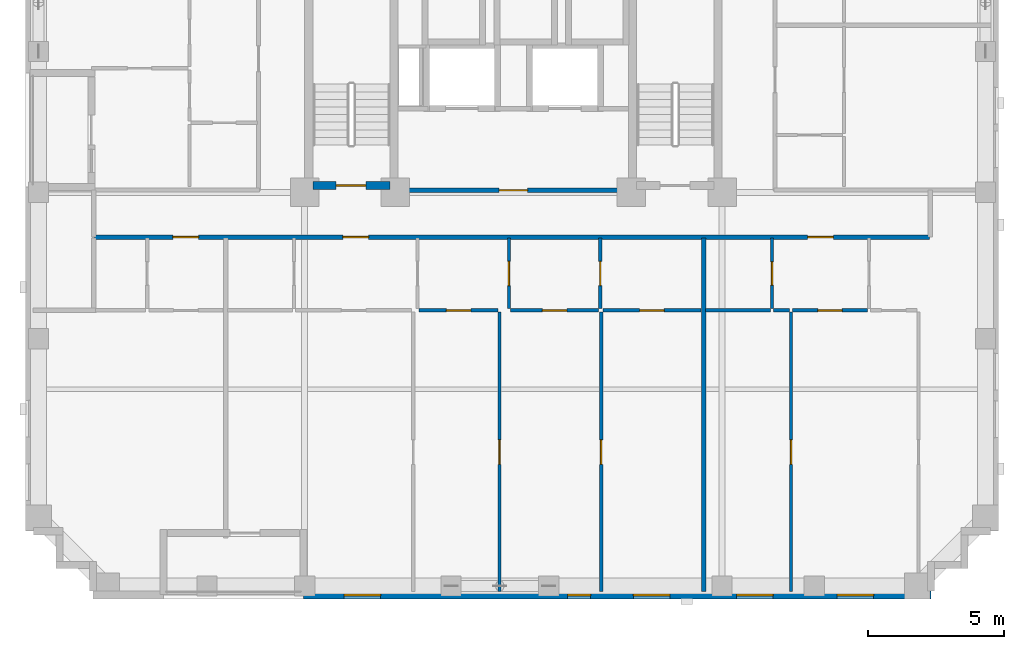
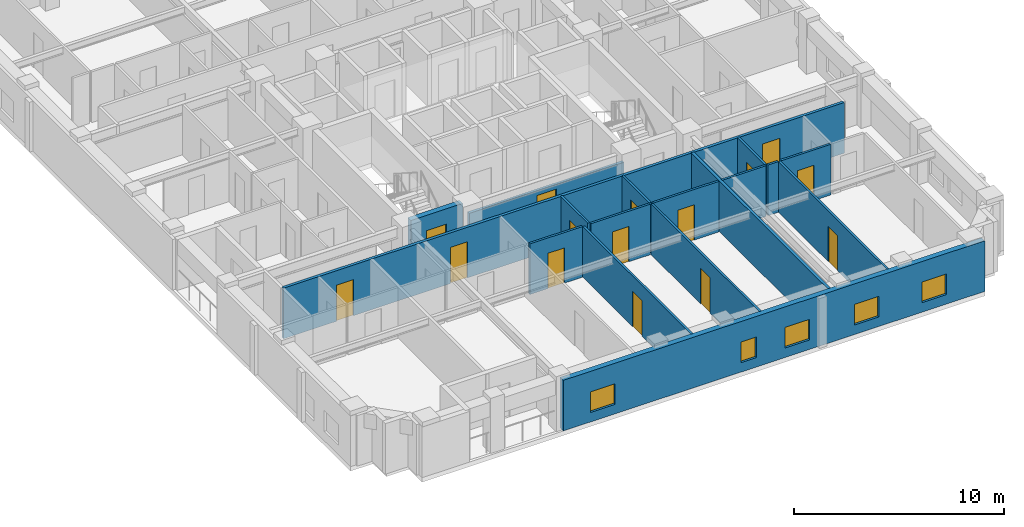
# One storey, part 3 of 12: 17 walls, 15 doors, 5 windows, 20 openings.
"""IFC4 building model written with IfcOpenShell, lengths in metres."""

from ifc_helpers import new_model, si_unit, derived_unit, direction, frame, frame_2d, origin, place, context, subcontext, project, spatial, rectangle, extrude, material, layer, layer_set, type_object, element, fill, save


model = new_model("IFC4")

# Units and contexts
model_context = context("Model", 3, precision=1e-05, world=origin(), true_north=direction((0.0, 1.0)))
body_context = subcontext(model_context, "Body", "Model", "MODEL_VIEW")
ifc_project = project(units=[si_unit("LENGTHUNIT", "METRE"), si_unit("AREAUNIT", "SQUARE_METRE"), si_unit("VOLUMEUNIT", "CUBIC_METRE"), si_unit("PLANEANGLEUNIT", "RADIAN"), si_unit("MASSUNIT", "GRAM", prefix="KILO"), derived_unit("THERMALTRANSMITTANCEUNIT", [(si_unit("MASSUNIT", "GRAM", prefix="KILO"), 1), (si_unit("TIMEUNIT", "SECOND"), -3), (si_unit("THERMODYNAMICTEMPERATUREUNIT", "KELVIN"), -1)])], contexts=[model_context])

# Site, building, storey
site_placement = place(None, origin())
site = spatial("IfcSite", under=ifc_project, at=site_placement, CompositionType="ELEMENT")
building_placement = place(site_placement, origin())
building = spatial("IfcBuilding", under=site, at=building_placement, Name="Korrvale Station Residences", CompositionType="ELEMENT")
storey_placement = place(building_placement, frame((0.0, 0.0, 107.10009765625)))
storey = spatial("IfcBuildingStorey", under=building, at=storey_placement, Name="L30", CompositionType="ELEMENT", Elevation=107.10009765625)

# Wall, opening, door
ifc_material_1 = material(Name="Concrete C60/75", Category="concrete")
ifc_layer_1 = layer(ifc_material_1, 0.300048828125, Name="Concrete C60/75")
ifc_layer_set_1 = layer_set([ifc_layer_1], Name="Concrete C60/75")
wall_type_1 = type_object("IfcWallType", Name="WAL-CORE-300-C60", PredefinedType="SHEAR", material=ifc_layer_set_1)
wall_1_placement = place(storey_placement, frame((18.10009765625, 15.25, 0.0), z_axis=(0.0, 0.0, 1.0), x_axis=(1.0, 0.0, 0.0)))
wall_1 = element("IfcWall", 1, at=wall_1_placement, inside=storey, type_object=wall_type_1, Name="L30 ST-1 Core Shear Wall South", PredefinedType="SHEAR", context=body_context, shape_type="SweptSolid", body=[
    extrude(rectangle(XDim=2.849853515625, YDim=0.300048828125, at=frame_2d((1.4248046875, 0.0))), origin(), (0.0, 0.0, 1.0), 2.93994140625),
])
opening_1_placement = place(wall_1_placement, frame((0.860107421875, 0.0, 0.0)))
opening_1 = element("IfcOpeningElement", 2, at=opening_1_placement, cuts=wall_1, Name="Opening SD-1100", PredefinedType="OPENING", context=body_context, shape_type="SweptSolid", body=[
    extrude(rectangle(XDim=1.10009765625, YDim=2.050048828125, at=frame_2d((0.550048828125, 1.02490234375))), frame((0.0, 0.16015625, 0.0), z_axis=(0.0, -1.0, 0.0), x_axis=(1.0, 0.0, 0.0)), (0.0, 0.0, 1.0), 0.320068359375),
])
ifc_material_2 = material(Name="Hollow-metal fire-rated stair door with closer", Category="steel")
door_type_1 = type_object("IfcDoorType", Name="DR-STAIR-1100", OperationType="NOTDEFINED", PredefinedType="DOOR", material=ifc_material_2)
door_1_placement = place(opening_1_placement, origin())
door_1 = element("IfcDoor", 3, at=door_1_placement, inside=storey, type_object=door_type_1, Name="L30 ST-1 Exit Stair Door", OperationType="SINGLE_SWING_LEFT", OverallHeight=2.050048828125, OverallWidth=1.10009765625, PredefinedType="DOOR", context=body_context, shape_type="SweptSolid", body=[
    extrude(rectangle(XDim=1.10009765625, YDim=2.050048828125, at=frame_2d((0.550048828125, 1.02490234375))), frame((0.0, 0.02490234375, 0.0), z_axis=(0.0, -1.0, 0.0), x_axis=(1.0, 0.0, 0.0)), (0.0, 0.0, 1.0), 0.050048828125),
])
fill(opening_1, door_1)

# Wall, openings, windows
ifc_material_3 = material(Name="Precast concrete C45/55", Category="concrete")
ifc_layer_2 = layer(ifc_material_3, 0.300048828125, Name="Precast concrete C45/55")
ifc_layer_set_2 = layer_set([ifc_layer_2], Name="Precast concrete C45/55")
wall_type_2 = type_object("IfcWallType", Name="WAL-EXT-PC300", PredefinedType="SOLIDWALL", material=ifc_layer_set_2)
wall_2_placement = place(storey_placement, frame((40.89990234375, 0.14990234375, 0.0), z_axis=(0.0, 0.0, 1.0), x_axis=(-1.0, 0.0, 0.0)))
wall_2 = element("IfcWall", 4, at=wall_2_placement, inside=storey, type_object=wall_type_2, Name="L30 South Exterior Precast Wall 1", PredefinedType="SOLIDWALL", context=body_context, shape_type="SweptSolid", body=[
    extrude(rectangle(XDim=23.14990234375, YDim=0.300048828125, at=frame_2d((11.574951171875, 0.0))), origin(), (0.0, 0.0, 1.0), 2.93994140625),
])
opening_2_placement = place(wall_2_placement, frame((20.2958984375, 0.0, 0.550048828125)))
opening_2 = element("IfcOpeningElement", 5, at=opening_2_placement, cuts=wall_2, Name="Opening W-10", PredefinedType="OPENING", context=body_context, shape_type="SweptSolid", body=[
    extrude(rectangle(XDim=1.35009765625, YDim=1.199951171875, at=frame_2d((0.675048828125, 0.60009765625))), frame((0.0, 0.16015625, 0.0), z_axis=(0.0, -1.0, 0.0), x_axis=(1.0, 0.0, 0.0)), (0.0, 0.0, 1.0), 0.320068359375),
])
opening_3_placement = place(wall_2_placement, frame((12.550048828125, 0.0, 0.550048828125)))
opening_3 = element("IfcOpeningElement", 6, at=opening_3_placement, cuts=wall_2, Name="Opening W-11", PredefinedType="OPENING", context=body_context, shape_type="SweptSolid", body=[
    extrude(rectangle(XDim=0.85009765625, YDim=1.199951171875, at=frame_2d((0.425048828125, 0.60009765625))), frame((0.0, 0.16015625, 0.0), z_axis=(0.0, -1.0, 0.0), x_axis=(1.0, 0.0, 0.0)), (0.0, 0.0, 1.0), 0.320068359375),
])
opening_4_placement = place(wall_2_placement, frame((9.6220703125, 0.0, 0.550048828125)))
opening_4 = element("IfcOpeningElement", 7, at=opening_4_placement, cuts=wall_2, Name="Opening W-10", PredefinedType="OPENING", context=body_context, shape_type="SweptSolid", body=[
    extrude(rectangle(XDim=1.35009765625, YDim=1.199951171875, at=frame_2d((0.675048828125, 0.60009765625))), frame((0.0, 0.16015625, 0.0), z_axis=(0.0, -1.0, 0.0), x_axis=(1.0, 0.0, 0.0)), (0.0, 0.0, 1.0), 0.320068359375),
])
opening_5_placement = place(wall_2_placement, frame((5.81494140625, 0.0, 0.550048828125)))
opening_5 = element("IfcOpeningElement", 8, at=opening_5_placement, cuts=wall_2, Name="Opening W-10", PredefinedType="OPENING", context=body_context, shape_type="SweptSolid", body=[
    extrude(rectangle(XDim=1.35009765625, YDim=1.199951171875, at=frame_2d((0.675048828125, 0.60009765625))), frame((0.0, 0.16015625, 0.0), z_axis=(0.0, -1.0, 0.0), x_axis=(1.0, 0.0, 0.0)), (0.0, 0.0, 1.0), 0.320068359375),
])
opening_6_placement = place(wall_2_placement, frame((2.10595703125, 0.0, 0.550048828125)))
opening_6 = element("IfcOpeningElement", 9, at=opening_6_placement, cuts=wall_2, Name="Opening W-10", PredefinedType="OPENING", context=body_context, shape_type="SweptSolid", body=[
    extrude(rectangle(XDim=1.35009765625, YDim=1.199951171875, at=frame_2d((0.675048828125, 0.60009765625))), frame((0.0, 0.16015625, 0.0), z_axis=(0.0, -1.0, 0.0), x_axis=(1.0, 0.0, 0.0)), (0.0, 0.0, 1.0), 0.320068359375),
])
ifc_material_4 = material(Name="Thermally broken aluminium frame with triple low-e glazing", Category="aluminium")
window_type_1 = type_object("IfcWindowType", Name="WIN-W10", PartitioningType="SINGLE_PANEL", PredefinedType="WINDOW", material=ifc_material_4)
window_1_placement = place(opening_2_placement, origin())
window_1 = element("IfcWindow", 10, at=window_1_placement, inside=storey, type_object=window_type_1, Name="L30 Punched Window 03", OverallHeight=1.199951171875, OverallWidth=1.35009765625, PartitioningType="SINGLE_PANEL", PredefinedType="WINDOW", context=body_context, shape_type="SweptSolid", body=[
    extrude(rectangle(XDim=1.35009765625, YDim=1.199951171875, at=frame_2d((0.675048828125, 0.60009765625))), frame((0.0, 0.030029296875, 0.0), z_axis=(0.0, -1.0, 0.0), x_axis=(1.0, 0.0, 0.0)), (0.0, 0.0, 1.0), 0.06005859375),
])
fill(opening_2, window_1)
window_2_placement = place(opening_4_placement, origin())
window_2 = element("IfcWindow", 11, at=window_2_placement, inside=storey, type_object=window_type_1, Name="L30 Punched Window 05", OverallHeight=1.199951171875, OverallWidth=1.35009765625, PartitioningType="SINGLE_PANEL", PredefinedType="WINDOW", context=body_context, shape_type="SweptSolid", body=[
    extrude(rectangle(XDim=1.35009765625, YDim=1.199951171875, at=frame_2d((0.675048828125, 0.60009765625))), frame((0.0, 0.030029296875, 0.0), z_axis=(0.0, -1.0, 0.0), x_axis=(1.0, 0.0, 0.0)), (0.0, 0.0, 1.0), 0.06005859375),
])
fill(opening_4, window_2)
window_3_placement = place(opening_5_placement, origin())
window_3 = element("IfcWindow", 12, at=window_3_placement, inside=storey, type_object=window_type_1, Name="L30 Punched Window 06", OverallHeight=1.199951171875, OverallWidth=1.35009765625, PartitioningType="SINGLE_PANEL", PredefinedType="WINDOW", context=body_context, shape_type="SweptSolid", body=[
    extrude(rectangle(XDim=1.35009765625, YDim=1.199951171875, at=frame_2d((0.675048828125, 0.60009765625))), frame((0.0, 0.030029296875, 0.0), z_axis=(0.0, -1.0, 0.0), x_axis=(1.0, 0.0, 0.0)), (0.0, 0.0, 1.0), 0.06005859375),
])
fill(opening_5, window_3)
window_4_placement = place(opening_6_placement, origin())
window_4 = element("IfcWindow", 13, at=window_4_placement, inside=storey, type_object=window_type_1, Name="L30 Punched Window 07", OverallHeight=1.199951171875, OverallWidth=1.35009765625, PartitioningType="SINGLE_PANEL", PredefinedType="WINDOW", context=body_context, shape_type="SweptSolid", body=[
    extrude(rectangle(XDim=1.35009765625, YDim=1.199951171875, at=frame_2d((0.675048828125, 0.60009765625))), frame((0.0, 0.030029296875, 0.0), z_axis=(0.0, -1.0, 0.0), x_axis=(1.0, 0.0, 0.0)), (0.0, 0.0, 1.0), 0.06005859375),
])
fill(opening_6, window_4)
window_type_2 = type_object("IfcWindowType", Name="WIN-W11", PartitioningType="SINGLE_PANEL", PredefinedType="WINDOW", material=ifc_material_4)
window_5_placement = place(opening_3_placement, origin())
window_5 = element("IfcWindow", 14, at=window_5_placement, inside=storey, type_object=window_type_2, Name="L30 Punched Window 04", OverallHeight=1.199951171875, OverallWidth=0.85009765625, PartitioningType="SINGLE_PANEL", PredefinedType="WINDOW", context=body_context, shape_type="SweptSolid", body=[
    extrude(rectangle(XDim=0.85009765625, YDim=1.199951171875, at=frame_2d((0.425048828125, 0.60009765625))), frame((0.0, 0.030029296875, 0.0), z_axis=(0.0, -1.0, 0.0), x_axis=(1.0, 0.0, 0.0)), (0.0, 0.0, 1.0), 0.06005859375),
])
fill(opening_3, window_5)

# Wall, opening, door
ifc_material_5 = material(Name="Acoustic steel-stud gypsum board partition", Category="steel")
ifc_layer_3 = layer(ifc_material_5, 0.1201171875, Name="Acoustic steel-stud gypsum board partition")
ifc_layer_set_3 = layer_set([ifc_layer_3], Name="Acoustic steel-stud gypsum board partition")
wall_type_3 = type_object("IfcWallType", Name="WAL-PART-125", PredefinedType="PARTITIONING", material=ifc_layer_set_3)
wall_3_placement = place(storey_placement, frame((25.3359375, 10.7099609375, 0.0), z_axis=(0.0, 0.0, 1.0), x_axis=(0.0, 1.0, 0.0)))
wall_3 = element("IfcWall", 15, at=wall_3_placement, inside=storey, type_object=wall_type_3, Name="L30 Suite Partition U02-V23", PredefinedType="PARTITIONING", context=body_context, shape_type="SweptSolid", body=[
    extrude(rectangle(XDim=2.60009765625, YDim=0.1201171875, at=frame_2d((1.300048828125, 0.0))), origin(), (0.0, 0.0, 1.0), 2.93994140625),
])
opening_7_placement = place(wall_3_placement, frame((0.85009765625, 0.0, 0.0)))
opening_7 = element("IfcOpeningElement", 16, at=opening_7_placement, cuts=wall_3, Name="Opening DI-900", PredefinedType="OPENING", context=body_context, shape_type="SweptSolid", body=[
    extrude(rectangle(XDim=0.89990234375, YDim=2.050048828125, at=frame_2d((0.449951171875, 1.02490234375))), frame((0.0, 0.070068359375, 0.0), z_axis=(0.0, -1.0, 0.0), x_axis=(1.0, 0.0, 0.0)), (0.0, 0.0, 1.0), 0.14013671875),
])
ifc_material_6 = material(Name="Painted solid-core timber interior room door", Category="wood")
door_type_2 = type_object("IfcDoorType", Name="DR-INT-900", OperationType="NOTDEFINED", PredefinedType="DOOR", material=ifc_material_6)
door_2_placement = place(opening_7_placement, origin())
door_2 = element("IfcDoor", 17, at=door_2_placement, inside=storey, type_object=door_type_2, Name="L30 Apartment 2BR L30-U02 Home Study Room Door", OperationType="SINGLE_SWING_LEFT", OverallHeight=2.050048828125, OverallWidth=0.89990234375, PredefinedType="DOOR", context=body_context, shape_type="SweptSolid", body=[
    extrude(rectangle(XDim=0.89990234375, YDim=2.050048828125, at=frame_2d((0.449951171875, 1.02490234375))), frame((0.0, 0.02490234375, 0.0), z_axis=(0.0, -1.0, 0.0), x_axis=(1.0, 0.0, 0.0)), (0.0, 0.0, 1.0), 0.050048828125),
])
fill(opening_7, door_2)

wall_4_placement = place(storey_placement, frame((22.02587890625, 10.64990234375, 0.0), z_axis=(0.0, 0.0, 1.0), x_axis=(1.0, 0.0, 0.0)))
wall_4 = element("IfcWall", 18, at=wall_4_placement, inside=storey, type_object=wall_type_3, Name="L30 Suite Partition U02-H26", PredefinedType="PARTITIONING", context=body_context, shape_type="SweptSolid", body=[
    extrude(rectangle(XDim=2.905029296875, YDim=0.1201171875, at=frame_2d((1.45263671875, 0.0))), origin(), (0.0, 0.0, 1.0), 2.93994140625),
])
opening_8_placement = place(wall_4_placement, frame((1.0029296875, 0.0, 0.0)))
opening_8 = element("IfcOpeningElement", 19, at=opening_8_placement, cuts=wall_4, Name="Opening DI-900", PredefinedType="OPENING", context=body_context, shape_type="SweptSolid", body=[
    extrude(rectangle(XDim=0.89990234375, YDim=2.050048828125, at=frame_2d((0.449951171875, 1.02490234375))), frame((0.0, 0.070068359375, 0.0), z_axis=(0.0, -1.0, 0.0), x_axis=(1.0, 0.0, 0.0)), (0.0, 0.0, 1.0), 0.14013671875),
])
door_3_placement = place(opening_8_placement, origin())
door_3 = element("IfcDoor", 20, at=door_3_placement, inside=storey, type_object=door_type_2, Name="L30 Apartment 2BR L30-U02 Home Study Room Door", OperationType="SINGLE_SWING_RIGHT", OverallHeight=2.050048828125, OverallWidth=0.89990234375, PredefinedType="DOOR", context=body_context, shape_type="SweptSolid", body=[
    extrude(rectangle(XDim=0.89990234375, YDim=2.050048828125, at=frame_2d((0.449951171875, 1.02490234375))), frame((0.0, 0.02490234375, 0.0), z_axis=(0.0, -1.0, 0.0), x_axis=(1.0, 0.0, 0.0)), (0.0, 0.0, 1.0), 0.050048828125),
])
fill(opening_8, door_3)

wall_5_placement = place(storey_placement, frame((28.7060546875, 10.7099609375, 0.0), z_axis=(0.0, 0.0, 1.0), x_axis=(0.0, 1.0, 0.0)))
wall_5 = element("IfcWall", 21, at=wall_5_placement, inside=storey, type_object=wall_type_3, Name="L30 Suite Partition U02-V34", PredefinedType="PARTITIONING", context=body_context, shape_type="SweptSolid", body=[
    extrude(rectangle(XDim=2.60009765625, YDim=0.1201171875, at=frame_2d((1.300048828125, 0.0))), origin(), (0.0, 0.0, 1.0), 2.93994140625),
])
opening_9_placement = place(wall_5_placement, frame((0.85009765625, 0.0, 0.0)))
opening_9 = element("IfcOpeningElement", 22, at=opening_9_placement, cuts=wall_5, Name="Opening DI-900", PredefinedType="OPENING", context=body_context, shape_type="SweptSolid", body=[
    extrude(rectangle(XDim=0.89990234375, YDim=2.050048828125, at=frame_2d((0.449951171875, 1.02490234375))), frame((0.0, 0.070068359375, 0.0), z_axis=(0.0, -1.0, 0.0), x_axis=(1.0, 0.0, 0.0)), (0.0, 0.0, 1.0), 0.14013671875),
])
door_4_placement = place(opening_9_placement, origin())
door_4 = element("IfcDoor", 23, at=door_4_placement, inside=storey, type_object=door_type_2, Name="L30 Apartment 2BR L30-U02 Home Study Room Door", OperationType="SINGLE_SWING_LEFT", OverallHeight=2.050048828125, OverallWidth=0.89990234375, PredefinedType="DOOR", context=body_context, shape_type="SweptSolid", body=[
    extrude(rectangle(XDim=0.89990234375, YDim=2.050048828125, at=frame_2d((0.449951171875, 1.02490234375))), frame((0.0, 0.02490234375, 0.0), z_axis=(0.0, -1.0, 0.0), x_axis=(1.0, 0.0, 0.0)), (0.0, 0.0, 1.0), 0.050048828125),
])
fill(opening_9, door_4)

wall_6_placement = place(storey_placement, frame((25.39599609375, 10.64990234375, 0.0), z_axis=(0.0, 0.0, 1.0), x_axis=(1.0, 0.0, 0.0)))
wall_6 = element("IfcWall", 24, at=wall_6_placement, inside=storey, type_object=wall_type_3, Name="L30 Suite Partition U02-H37", PredefinedType="PARTITIONING", context=body_context, shape_type="SweptSolid", body=[
    extrude(rectangle(XDim=3.25, YDim=0.1201171875, at=frame_2d((1.625, 0.0))), origin(), (0.0, 0.0, 1.0), 2.93994140625),
])
opening_10_placement = place(wall_6_placement, frame((1.175048828125, 0.0, 0.0)))
opening_10 = element("IfcOpeningElement", 25, at=opening_10_placement, cuts=wall_6, Name="Opening DI-900", PredefinedType="OPENING", context=body_context, shape_type="SweptSolid", body=[
    extrude(rectangle(XDim=0.89990234375, YDim=2.050048828125, at=frame_2d((0.449951171875, 1.02490234375))), frame((0.0, 0.070068359375, 0.0), z_axis=(0.0, -1.0, 0.0), x_axis=(1.0, 0.0, 0.0)), (0.0, 0.0, 1.0), 0.14013671875),
])
door_5_placement = place(opening_10_placement, origin())
door_5 = element("IfcDoor", 26, at=door_5_placement, inside=storey, type_object=door_type_2, Name="L30 Apartment 2BR L30-U02 Home Study Room Door", OperationType="SINGLE_SWING_RIGHT", OverallHeight=2.050048828125, OverallWidth=0.89990234375, PredefinedType="DOOR", context=body_context, shape_type="SweptSolid", body=[
    extrude(rectangle(XDim=0.89990234375, YDim=2.050048828125, at=frame_2d((0.449951171875, 1.02490234375))), frame((0.0, 0.02490234375, 0.0), z_axis=(0.0, -1.0, 0.0), x_axis=(1.0, 0.0, 0.0)), (0.0, 0.0, 1.0), 0.050048828125),
])
fill(opening_10, door_5)

wall_7_placement = place(storey_placement, frame((28.798095703125, 10.64990234375, 0.0), z_axis=(0.0, 0.0, 1.0), x_axis=(1.0, 0.0, 0.0)))
wall_7 = element("IfcWall", 27, at=wall_7_placement, inside=storey, type_object=wall_type_3, Name="L30 Suite Partition U02-H48", PredefinedType="PARTITIONING", context=body_context, shape_type="SweptSolid", body=[
    extrude(rectangle(XDim=3.6279296875, YDim=0.1201171875, at=frame_2d((1.81396484375, 0.0))), origin(), (0.0, 0.0, 1.0), 2.93994140625),
])
opening_11_placement = place(wall_7_placement, frame((1.364013671875, 0.0, 0.0)))
opening_11 = element("IfcOpeningElement", 28, at=opening_11_placement, cuts=wall_7, Name="Opening DI-900", PredefinedType="OPENING", context=body_context, shape_type="SweptSolid", body=[
    extrude(rectangle(XDim=0.89990234375, YDim=2.050048828125, at=frame_2d((0.449951171875, 1.02490234375))), frame((0.0, 0.070068359375, 0.0), z_axis=(0.0, -1.0, 0.0), x_axis=(1.0, 0.0, 0.0)), (0.0, 0.0, 1.0), 0.14013671875),
])
door_6_placement = place(opening_11_placement, origin())
door_6 = element("IfcDoor", 29, at=door_6_placement, inside=storey, type_object=door_type_2, Name="L30 Apartment 2BR L30-U02 Home Study Room Door", OperationType="SINGLE_SWING_LEFT", OverallHeight=2.050048828125, OverallWidth=0.89990234375, PredefinedType="DOOR", context=body_context, shape_type="SweptSolid", body=[
    extrude(rectangle(XDim=0.89990234375, YDim=2.050048828125, at=frame_2d((0.449951171875, 1.02490234375))), frame((0.0, 0.02490234375, 0.0), z_axis=(0.0, -1.0, 0.0), x_axis=(1.0, 0.0, 0.0)), (0.0, 0.0, 1.0), 0.050048828125),
])
fill(opening_11, door_6)

wall_8_placement = place(storey_placement, frame((24.990966796875, 0.280029296875, 0.0), z_axis=(0.0, 0.0, 1.0), x_axis=(0.0, 1.0, 0.0)))
wall_8 = element("IfcWall", 30, at=wall_8_placement, inside=storey, type_object=wall_type_3, Name="L30 Suite Partition U02-V67", PredefinedType="PARTITIONING", context=body_context, shape_type="SweptSolid", body=[
    extrude(rectangle(XDim=10.31005859375, YDim=0.1201171875, at=frame_2d((5.155029296875, 0.0))), origin(), (0.0, 0.0, 1.0), 2.93994140625),
])
opening_12_placement = place(wall_8_placement, frame((4.68994140625, 0.0, 0.0)))
opening_12 = element("IfcOpeningElement", 31, at=opening_12_placement, cuts=wall_8, Name="Opening DI-900", PredefinedType="OPENING", context=body_context, shape_type="SweptSolid", body=[
    extrude(rectangle(XDim=0.89990234375, YDim=2.050048828125, at=frame_2d((0.449951171875, 1.02490234375))), frame((0.0, 0.070068359375, 0.0), z_axis=(0.0, -1.0, 0.0), x_axis=(1.0, 0.0, 0.0)), (0.0, 0.0, 1.0), 0.14013671875),
])
door_7_placement = place(opening_12_placement, origin())
door_7 = element("IfcDoor", 32, at=door_7_placement, inside=storey, type_object=door_type_2, Name="L30 Apartment 2BR L30-U02 Wardrobe Storage Room Door", OperationType="SINGLE_SWING_LEFT", OverallHeight=2.050048828125, OverallWidth=0.89990234375, PredefinedType="DOOR", context=body_context, shape_type="SweptSolid", body=[
    extrude(rectangle(XDim=0.89990234375, YDim=2.050048828125, at=frame_2d((0.449951171875, 1.02490234375))), frame((0.0, 0.02490234375, 0.0), z_axis=(0.0, -1.0, 0.0), x_axis=(1.0, 0.0, 0.0)), (0.0, 0.0, 1.0), 0.050048828125),
])
fill(opening_12, door_7)

wall_9_placement = place(storey_placement, frame((28.738037109375, 0.280029296875, 0.0), z_axis=(0.0, 0.0, 1.0), x_axis=(0.0, 1.0, 0.0)))
wall_9 = element("IfcWall", 33, at=wall_9_placement, inside=storey, type_object=wall_type_3, Name="L30 Suite Partition U02-V78", PredefinedType="PARTITIONING", context=body_context, shape_type="SweptSolid", body=[
    extrude(rectangle(XDim=10.31005859375, YDim=0.1201171875, at=frame_2d((5.155029296875, 0.0))), origin(), (0.0, 0.0, 1.0), 2.93994140625),
])
opening_13_placement = place(wall_9_placement, frame((4.68994140625, 0.0, 0.0)))
opening_13 = element("IfcOpeningElement", 34, at=opening_13_placement, cuts=wall_9, Name="Opening DI-900", PredefinedType="OPENING", context=body_context, shape_type="SweptSolid", body=[
    extrude(rectangle(XDim=0.89990234375, YDim=2.050048828125, at=frame_2d((0.449951171875, 1.02490234375))), frame((0.0, 0.070068359375, 0.0), z_axis=(0.0, -1.0, 0.0), x_axis=(1.0, 0.0, 0.0)), (0.0, 0.0, 1.0), 0.14013671875),
])
door_8_placement = place(opening_13_placement, origin())
door_8 = element("IfcDoor", 35, at=door_8_placement, inside=storey, type_object=door_type_2, Name="L30 Apartment 2BR L30-U02 Bedroom 1 Door", OperationType="SINGLE_SWING_RIGHT", OverallHeight=2.050048828125, OverallWidth=0.89990234375, PredefinedType="DOOR", context=body_context, shape_type="SweptSolid", body=[
    extrude(rectangle(XDim=0.89990234375, YDim=2.050048828125, at=frame_2d((0.449951171875, 1.02490234375))), frame((0.0, 0.02490234375, 0.0), z_axis=(0.0, -1.0, 0.0), x_axis=(1.0, 0.0, 0.0)), (0.0, 0.0, 1.0), 0.050048828125),
])
fill(opening_13, door_8)

wall_10_placement = place(storey_placement, frame((35.0458984375, 10.7099609375, 0.0), z_axis=(0.0, 0.0, 1.0), x_axis=(0.0, 1.0, 0.0)))
wall_10 = element("IfcWall", 36, at=wall_10_placement, inside=storey, type_object=wall_type_3, Name="L30 Suite Partition U03-V01", PredefinedType="PARTITIONING", context=body_context, shape_type="SweptSolid", body=[
    extrude(rectangle(XDim=2.60009765625, YDim=0.1201171875, at=frame_2d((1.300048828125, 0.0))), origin(), (0.0, 0.0, 1.0), 2.93994140625),
])
opening_14_placement = place(wall_10_placement, frame((0.8701171875, 0.0, 0.0)))
opening_14 = element("IfcOpeningElement", 37, at=opening_14_placement, cuts=wall_10, Name="Opening DB-860", PredefinedType="OPENING", context=body_context, shape_type="SweptSolid", body=[
    extrude(rectangle(XDim=0.860107421875, YDim=2.050048828125, at=frame_2d((0.43017578125, 1.02490234375))), frame((0.0, 0.070068359375, 0.0), z_axis=(0.0, -1.0, 0.0), x_axis=(1.0, 0.0, 0.0)), (0.0, 0.0, 1.0), 0.14013671875),
])
ifc_material_7 = material(Name="Moisture-resistant solid-core bathroom door", Category="timber")
door_type_3 = type_object("IfcDoorType", Name="DR-BATH-860", OperationType="NOTDEFINED", PredefinedType="DOOR", material=ifc_material_7)
door_9_placement = place(opening_14_placement, origin())
door_9 = element("IfcDoor", 38, at=door_9_placement, inside=storey, type_object=door_type_3, Name="L30 Studio Apartment L30-U03 Bathroom Door", OperationType="SINGLE_SWING_LEFT", OverallHeight=2.050048828125, OverallWidth=0.860107421875, PredefinedType="DOOR", context=body_context, shape_type="SweptSolid", body=[
    extrude(rectangle(XDim=0.860107421875, YDim=2.050048828125, at=frame_2d((0.43017578125, 1.02490234375))), frame((0.0, 0.02490234375, 0.0), z_axis=(0.0, -1.0, 0.0), x_axis=(1.0, 0.0, 0.0)), (0.0, 0.0, 1.0), 0.050048828125),
])
fill(opening_14, door_9)

# Walls
wall_11_placement = place(storey_placement, frame((32.5859375, 10.64990234375, 0.0), z_axis=(0.0, 0.0, 1.0), x_axis=(1.0, 0.0, 0.0)))
element("IfcWall", 39, at=wall_11_placement, inside=storey, type_object=wall_type_3, Name="L30 Suite Partition U03-H03", PredefinedType="PARTITIONING", context=body_context, shape_type="SweptSolid", body=[
    extrude(rectangle(XDim=2.400146484375, YDim=0.1201171875, at=frame_2d((1.2001953125, 0.0))), origin(), (0.0, 0.0, 1.0), 2.93994140625),
])
wall_12_placement = place(storey_placement, frame((35.10595703125, 10.64990234375, 0.0), z_axis=(0.0, 0.0, 1.0), x_axis=(1.0, 0.0, 0.0)))
element("IfcWall", 40, at=wall_12_placement, inside=storey, type_object=wall_type_3, Name="L30 Suite Partition U03-H13", PredefinedType="PARTITIONING", context=body_context, shape_type="SweptSolid", body=[
    extrude(rectangle(XDim=0.580078125, YDim=0.1201171875, at=frame_2d((0.2900390625, 0.0))), origin(), (0.0, 0.0, 1.0), 2.93994140625),
])

# Wall, opening, door
wall_13_placement = place(storey_placement, frame((35.805908203125, 10.64990234375, 0.0), z_axis=(0.0, 0.0, 1.0), x_axis=(1.0, 0.0, 0.0)))
wall_13 = element("IfcWall", 41, at=wall_13_placement, inside=storey, type_object=wall_type_3, Name="L30 Suite Partition U03-H14", PredefinedType="PARTITIONING", context=body_context, shape_type="SweptSolid", body=[
    extrude(rectangle(XDim=2.75, YDim=0.1201171875, at=frame_2d((1.375, 0.0))), origin(), (0.0, 0.0, 1.0), 2.93994140625),
])
opening_15_placement = place(wall_13_placement, frame((0.925048828125, 0.0, 0.0)))
opening_15 = element("IfcOpeningElement", 42, at=opening_15_placement, cuts=wall_13, Name="Opening DI-900", PredefinedType="OPENING", context=body_context, shape_type="SweptSolid", body=[
    extrude(rectangle(XDim=0.89990234375, YDim=2.050048828125, at=frame_2d((0.449951171875, 1.02490234375))), frame((0.0, 0.070068359375, 0.0), z_axis=(0.0, -1.0, 0.0), x_axis=(1.0, 0.0, 0.0)), (0.0, 0.0, 1.0), 0.14013671875),
])
door_10_placement = place(opening_15_placement, origin())
door_10 = element("IfcDoor", 43, at=door_10_placement, inside=storey, type_object=door_type_2, Name="L30 Studio Apartment L30-U03 Kitchen Door", OperationType="SINGLE_SWING_LEFT", OverallHeight=2.050048828125, OverallWidth=0.89990234375, PredefinedType="DOOR", context=body_context, shape_type="SweptSolid", body=[
    extrude(rectangle(XDim=0.89990234375, YDim=2.050048828125, at=frame_2d((0.449951171875, 1.02490234375))), frame((0.0, 0.02490234375, 0.0), z_axis=(0.0, -1.0, 0.0), x_axis=(1.0, 0.0, 0.0)), (0.0, 0.0, 1.0), 0.050048828125),
])
fill(opening_15, door_10)

wall_14_placement = place(storey_placement, frame((35.74609375, 0.280029296875, 0.0), z_axis=(0.0, 0.0, 1.0), x_axis=(0.0, 1.0, 0.0)))
wall_14 = element("IfcWall", 44, at=wall_14_placement, inside=storey, type_object=wall_type_3, Name="L30 Suite Partition U03-V34", PredefinedType="PARTITIONING", context=body_context, shape_type="SweptSolid", body=[
    extrude(rectangle(XDim=10.31005859375, YDim=0.1201171875, at=frame_2d((5.155029296875, 0.0))), origin(), (0.0, 0.0, 1.0), 2.93994140625),
])
opening_16_placement = place(wall_14_placement, frame((4.68994140625, 0.0, 0.0)))
opening_16 = element("IfcOpeningElement", 45, at=opening_16_placement, cuts=wall_14, Name="Opening DI-900", PredefinedType="OPENING", context=body_context, shape_type="SweptSolid", body=[
    extrude(rectangle(XDim=0.89990234375, YDim=2.050048828125, at=frame_2d((0.449951171875, 1.02490234375))), frame((0.0, 0.070068359375, 0.0), z_axis=(0.0, -1.0, 0.0), x_axis=(1.0, 0.0, 0.0)), (0.0, 0.0, 1.0), 0.14013671875),
])
door_11_placement = place(opening_16_placement, origin())
door_11 = element("IfcDoor", 46, at=door_11_placement, inside=storey, type_object=door_type_2, Name="L30 Studio Apartment L30-U03 Formal Dining Room Door", OperationType="SINGLE_SWING_LEFT", OverallHeight=2.050048828125, OverallWidth=0.89990234375, PredefinedType="DOOR", context=body_context, shape_type="SweptSolid", body=[
    extrude(rectangle(XDim=0.89990234375, YDim=2.050048828125, at=frame_2d((0.449951171875, 1.02490234375))), frame((0.0, 0.02490234375, 0.0), z_axis=(0.0, -1.0, 0.0), x_axis=(1.0, 0.0, 0.0)), (0.0, 0.0, 1.0), 0.050048828125),
])
fill(opening_16, door_11)

ifc_material_8 = material(Name="Fire-rated twin-stud gypsum and mineral wool shaftwall assembly", Category="gypsum")
ifc_layer_4 = layer(ifc_material_8, 0.159912109375, Name="Fire-rated twin-stud gypsum and mineral wool shaftwall assembly")
ifc_layer_set_4 = layer_set([ifc_layer_4], Name="Fire-rated twin-stud gypsum and mineral wool shaftwall assembly")
wall_type_4 = type_object("IfcWallType", Name="WAL-PART-200", PredefinedType="PARTITIONING", material=ifc_layer_set_4)
wall_15_placement = place(storey_placement, frame((21.25, 15.080078125, 0.0), z_axis=(0.0, 0.0, 1.0), x_axis=(1.0, 0.0, 0.0)))
wall_15 = element("IfcWall", 47, at=wall_15_placement, inside=storey, type_object=wall_type_4, Name="L30 Core Partition CW-FFL-S", PredefinedType="PARTITIONING", context=body_context, shape_type="SweptSolid", body=[
    extrude(rectangle(XDim=8.5, YDim=0.159912109375, at=frame_2d((4.25, 0.0))), origin(), (0.0, 0.0, 1.0), 2.31298828125),
])
opening_17_placement = place(wall_15_placement, frame((3.72509765625, 0.0, 0.0)))
opening_17 = element("IfcOpeningElement", 48, at=opening_17_placement, cuts=wall_15, Name="Opening FD-1050", PredefinedType="OPENING", context=body_context, shape_type="SweptSolid", body=[
    extrude(rectangle(XDim=1.050048828125, YDim=2.050048828125, at=frame_2d((0.52490234375, 1.02490234375))), frame((0.0, 0.08984375, 0.0), z_axis=(0.0, -1.0, 0.0), x_axis=(1.0, 0.0, 0.0)), (0.0, 0.0, 1.0), 0.179931640625),
])
ifc_material_9 = material(Name="Fire-rated mineral-core timber lobby door", Category="wood")
door_type_4 = type_object("IfcDoorType", Name="DR-CORE-1050", OperationType="NOTDEFINED", PredefinedType="DOOR", material=ifc_material_9)
door_12_placement = place(opening_17_placement, origin())
door_12 = element("IfcDoor", 49, at=door_12_placement, inside=storey, type_object=door_type_4, Name="L30 Firefighting Lobby Entry Door", OperationType="SINGLE_SWING_RIGHT", OverallHeight=2.050048828125, OverallWidth=1.050048828125, PredefinedType="DOOR", context=body_context, shape_type="SweptSolid", body=[
    extrude(rectangle(XDim=1.050048828125, YDim=2.050048828125, at=frame_2d((0.52490234375, 1.02490234375))), frame((0.0, 0.02490234375, 0.0), z_axis=(0.0, -1.0, 0.0), x_axis=(1.0, 0.0, 0.0)), (0.0, 0.0, 1.0), 0.050048828125),
])
fill(opening_17, door_12)

# Wall
wall_16_placement = place(storey_placement, frame((32.52587890625, 0.280029296875, 0.0), z_axis=(0.0, 0.0, 1.0), x_axis=(0.0, 1.0, 0.0)))
element("IfcWall", 50, at=wall_16_placement, inside=storey, type_object=wall_type_4, Name="L30 Demising Wall U03-W", PredefinedType="PARTITIONING", context=body_context, shape_type="SweptSolid", body=[
    extrude(rectangle(XDim=13.030029296875, YDim=0.159912109375, at=frame_2d((6.51513671875, 0.0))), origin(), (0.0, 0.0, 1.0), 2.93994140625),
])

# Wall, openings, doors
wall_17_placement = place(storey_placement, frame((10.050048828125, 13.35009765625, 0.0), z_axis=(0.0, 0.0, 1.0), x_axis=(1.0, 0.0, 0.0)))
wall_17 = element("IfcWall", 51, at=wall_17_placement, inside=storey, type_object=wall_type_4, Name="L30 Rated Corridor Wall S", PredefinedType="PARTITIONING", context=body_context, shape_type="SweptSolid", body=[
    extrude(rectangle(XDim=30.800048828125, YDim=0.159912109375, at=frame_2d((15.39990234375, 0.0))), origin(), (0.0, 0.0, 1.0), 2.93994140625),
])
opening_18_placement = place(wall_17_placement, frame((2.89306640625, 0.0, 0.0)))
opening_18 = element("IfcOpeningElement", 52, at=opening_18_placement, cuts=wall_17, Name="Opening UD-950", PredefinedType="OPENING", context=body_context, shape_type="SweptSolid", body=[
    extrude(rectangle(XDim=0.949951171875, YDim=2.10009765625, at=frame_2d((0.47509765625, 1.050048828125))), frame((0.0, 0.08984375, 0.0), z_axis=(0.0, -1.0, 0.0), x_axis=(1.0, 0.0, 0.0)), (0.0, 0.0, 1.0), 0.179931640625),
])
opening_19_placement = place(wall_17_placement, frame((9.160888671875, 0.0, 0.0)))
opening_19 = element("IfcOpeningElement", 53, at=opening_19_placement, cuts=wall_17, Name="Opening UD-950", PredefinedType="OPENING", context=body_context, shape_type="SweptSolid", body=[
    extrude(rectangle(XDim=0.949951171875, YDim=2.10009765625, at=frame_2d((0.47509765625, 1.050048828125))), frame((0.0, 0.08984375, 0.0), z_axis=(0.0, -1.0, 0.0), x_axis=(1.0, 0.0, 0.0)), (0.0, 0.0, 1.0), 0.179931640625),
])
opening_20_placement = place(wall_17_placement, frame((26.305908203125, 0.0, 0.0)))
opening_20 = element("IfcOpeningElement", 54, at=opening_20_placement, cuts=wall_17, Name="Opening UD-950", PredefinedType="OPENING", context=body_context, shape_type="SweptSolid", body=[
    extrude(rectangle(XDim=0.949951171875, YDim=2.10009765625, at=frame_2d((0.47509765625, 1.050048828125))), frame((0.0, 0.08984375, 0.0), z_axis=(0.0, -1.0, 0.0), x_axis=(1.0, 0.0, 0.0)), (0.0, 0.0, 1.0), 0.179931640625),
])
ifc_material_10 = material(Name="Solid-core acoustic oak apartment entrance door", Category="timber")
door_type_5 = type_object("IfcDoorType", Name="DR-UNIT-950", OperationType="NOTDEFINED", PredefinedType="DOOR", material=ifc_material_10)
door_13_placement = place(opening_18_placement, origin())
door_13 = element("IfcDoor", 55, at=door_13_placement, inside=storey, type_object=door_type_5, Name="L30 Apartment L30-U01 Entrance Door", OperationType="SINGLE_SWING_RIGHT", OverallHeight=2.10009765625, OverallWidth=0.949951171875, PredefinedType="DOOR", context=body_context, shape_type="SweptSolid", body=[
    extrude(rectangle(XDim=0.949951171875, YDim=2.10009765625, at=frame_2d((0.47509765625, 1.050048828125))), frame((0.0, 0.02490234375, 0.0), z_axis=(0.0, -1.0, 0.0), x_axis=(1.0, 0.0, 0.0)), (0.0, 0.0, 1.0), 0.050048828125),
])
fill(opening_18, door_13)
door_14_placement = place(opening_19_placement, origin())
door_14 = element("IfcDoor", 56, at=door_14_placement, inside=storey, type_object=door_type_5, Name="L30 Apartment L30-U02 Entrance Door", OperationType="SINGLE_SWING_LEFT", OverallHeight=2.10009765625, OverallWidth=0.949951171875, PredefinedType="DOOR", context=body_context, shape_type="SweptSolid", body=[
    extrude(rectangle(XDim=0.949951171875, YDim=2.10009765625, at=frame_2d((0.47509765625, 1.050048828125))), frame((0.0, 0.02490234375, 0.0), z_axis=(0.0, -1.0, 0.0), x_axis=(1.0, 0.0, 0.0)), (0.0, 0.0, 1.0), 0.050048828125),
])
fill(opening_19, door_14)
door_15_placement = place(opening_20_placement, origin())
door_15 = element("IfcDoor", 57, at=door_15_placement, inside=storey, type_object=door_type_5, Name="L30 Apartment L30-U03 Entrance Door", OperationType="SINGLE_SWING_RIGHT", OverallHeight=2.10009765625, OverallWidth=0.949951171875, PredefinedType="DOOR", context=body_context, shape_type="SweptSolid", body=[
    extrude(rectangle(XDim=0.949951171875, YDim=2.10009765625, at=frame_2d((0.47509765625, 1.050048828125))), frame((0.0, 0.02490234375, 0.0), z_axis=(0.0, -1.0, 0.0), x_axis=(1.0, 0.0, 0.0)), (0.0, 0.0, 1.0), 0.050048828125),
])
fill(opening_20, door_15)

save(model, "model.ifc")
